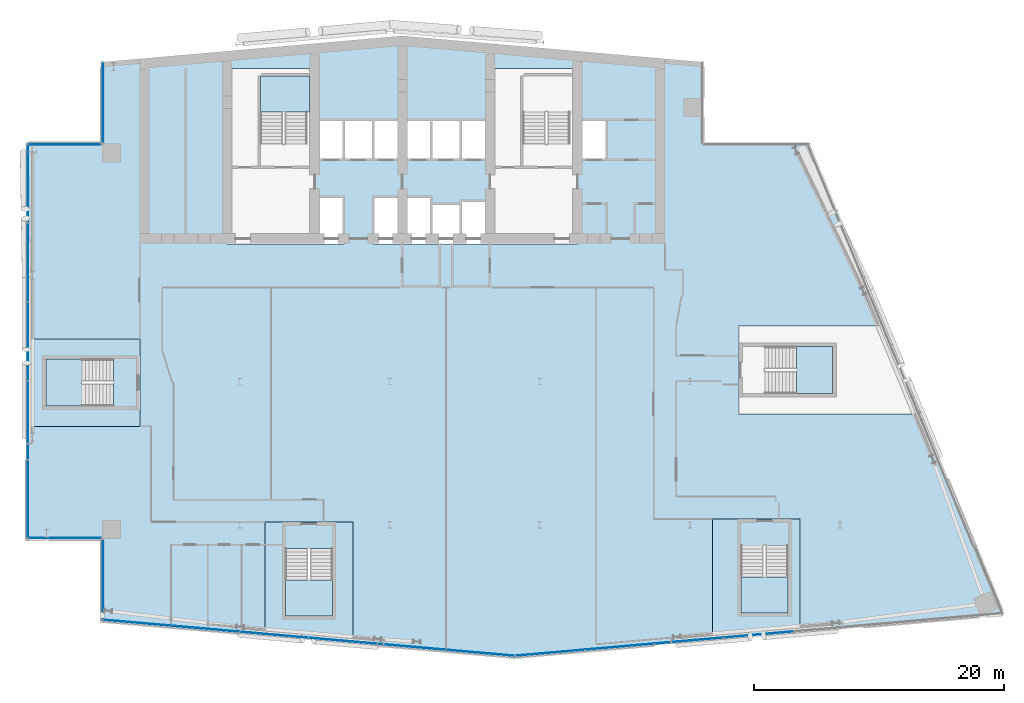
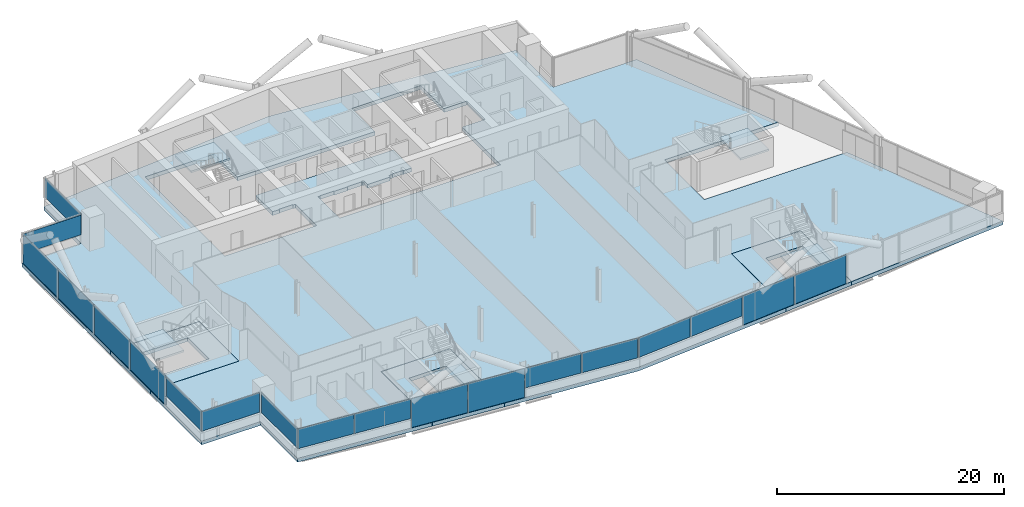
# One storey, part 13 of 26: 19 plates, 9 slabs, 12 elements without a shape of their own.
"""IFC4 building model written with IfcOpenShell, lengths in metres."""

from ifc_helpers import new_model, si_unit, direction, frame, origin, origin_2d, place, context, subcontext, project, spatial, polyline, rectangle, outline, extrude, material, layer, layer_set, type_object, element, aggregate, save


model = new_model("IFC4")

# Units and contexts
model_context = context("Model", 3, precision=1e-05, world=origin(), true_north=direction((0.0, 1.0)))
body_context = subcontext(model_context, "Body", "Model", "MODEL_VIEW")
ifc_project = project(units=[si_unit("LENGTHUNIT", "METRE"), si_unit("AREAUNIT", "SQUARE_METRE"), si_unit("VOLUMEUNIT", "CUBIC_METRE"), si_unit("PLANEANGLEUNIT", "RADIAN"), si_unit("MASSUNIT", "GRAM", prefix="KILO")], contexts=[model_context])

# Site, building, storey
site_placement = place(None, origin())
site = spatial("IfcSite", under=ifc_project, at=site_placement, CompositionType="ELEMENT")
building_placement = place(site_placement, origin())
building = spatial("IfcBuilding", under=site, at=building_placement, Name="Wharfspan Tower", CompositionType="ELEMENT")
storey_placement = place(building_placement, frame((0.0, 0.0, 177.100098)))
storey = spatial("IfcBuildingStorey", under=building, at=storey_placement, Name="L43", CompositionType="ELEMENT", Elevation=177.100098)

# Curtain wall, plates
ifc_material_1 = material(Name="Aluminium 6063-T6", Category="aluminium")
curtain_wall_type_1 = type_object("IfcCurtainWallType", Name="CURTAIN WALL FACETED FRONT", PredefinedType="NOTDEFINED", material=ifc_material_1)
curtain_wall_1_placement = place(storey_placement, origin())
curtain_wall_1 = element("IfcCurtainWall", 1, at=curtain_wall_1_placement, inside=storey, type_object=curtain_wall_type_1, Name="Curtain wall S1", PredefinedType="NOTDEFINED")
ifc_material_2 = material(Name="Glass clear low-iron double glazing", Category="glass")
ifc_layer_1 = layer(ifc_material_2, 0.040039)
ifc_layer_set_1 = layer_set([ifc_layer_1], Name="Glass clear low-iron double glazing")
plate_type_1 = type_object("IfcPlateType", Name="GLASS PANEL FACETED FRONT 40", PredefinedType="CURTAIN_PANEL", material=ifc_layer_set_1)
plate_1_placement = place(storey_placement, frame((15.770264, 3.692871, 0.999756), z_axis=(0.0, 0.0, 1.0), x_axis=(0.996198, -0.087156, 0.0)))
plate_1 = element("IfcPlate", 2, at=plate_1_placement, type_object=plate_type_1, Name="Curtain wall S1 panel 1", PredefinedType="CURTAIN_PANEL", context=body_context, shape_type="SweptSolid", body=[
    extrude(rectangle(XDim=5.430908, YDim=0.040039, at=origin_2d()), origin(), (0.0, 0.0, 1.0), 2.120117),
])
plate_2_placement = place(storey_placement, frame((21.255127, 3.213135, 0.999756), z_axis=(0.0, 0.0, 1.0), x_axis=(0.996198, -0.087156, 0.0)))
plate_2 = element("IfcPlate", 3, at=plate_2_placement, type_object=plate_type_1, Name="Curtain wall S1 panel 2", PredefinedType="CURTAIN_PANEL", context=body_context, shape_type="SweptSolid", body=[
    extrude(rectangle(XDim=5.460938, YDim=0.040039, at=origin_2d()), origin(), (0.0, 0.0, 1.0), 2.120117),
])
plate_3_placement = place(storey_placement, frame((37.755127, 1.769531, 0.999756), z_axis=(0.0, 0.0, 1.0), x_axis=(0.996198, -0.087156, 0.0)))
plate_3 = element("IfcPlate", 4, at=plate_3_placement, type_object=plate_type_1, Name="Curtain wall S1 panel 5", PredefinedType="CURTAIN_PANEL", context=body_context, shape_type="SweptSolid", body=[
    extrude(rectangle(XDim=5.460938, YDim=0.040039, at=origin_2d()), origin(), (0.0, 0.0, 1.0), 2.120117),
])
plate_4_placement = place(storey_placement, frame((43.240234, 1.289551, 0.999756), z_axis=(0.0, 0.0, 1.0), x_axis=(0.996198, -0.087156, 0.0)))
plate_4 = element("IfcPlate", 5, at=plate_4_placement, type_object=plate_type_1, Name="Curtain wall S1 panel 6", PredefinedType="CURTAIN_PANEL", context=body_context, shape_type="SweptSolid", body=[
    extrude(rectangle(XDim=5.430908, YDim=0.040039, at=origin_2d()), origin(), (0.0, 0.0, 1.0), 2.120117),
])

curtain_wall_2_placement = place(storey_placement, origin())
curtain_wall_2 = element("IfcCurtainWall", 6, at=curtain_wall_2_placement, inside=storey, type_object=curtain_wall_type_1, Name="Curtain wall S2", PredefinedType="NOTDEFINED")
plate_5_placement = place(storey_placement, frame((48.79541, 1.292725, 0.999756), z_axis=(0.0, 0.0, 1.0), x_axis=(0.996198, 0.087156, 0.0)))
plate_5 = element("IfcPlate", 7, at=plate_5_placement, type_object=plate_type_1, Name="Curtain wall S2 panel 1", PredefinedType="CURTAIN_PANEL", context=body_context, shape_type="SweptSolid", body=[
    extrude(rectangle(XDim=5.502686, YDim=0.040039, at=origin_2d()), origin(), (0.0, 0.0, 1.0), 2.120117),
])
plate_6_placement = place(storey_placement, frame((54.351807, 1.778809, 0.999756), z_axis=(0.0, 0.0, 1.0), x_axis=(0.996198, 0.087156, 0.0)))
plate_6 = element("IfcPlate", 8, at=plate_6_placement, type_object=plate_type_1, Name="Curtain wall S2 panel 2", PredefinedType="CURTAIN_PANEL", context=body_context, shape_type="SweptSolid", body=[
    extrude(rectangle(XDim=5.532715, YDim=0.040039, at=origin_2d()), origin(), (0.0, 0.0, 1.0), 2.120117),
])

# Curtain wall, plate
curtain_wall_type_2 = type_object("IfcCurtainWallType", Name="CURTAIN WALL PROW AND END", PredefinedType="NOTDEFINED", material=ifc_material_1)
curtain_wall_3_placement = place(storey_placement, origin())
curtain_wall_3 = element("IfcCurtainWall", 9, at=curtain_wall_3_placement, inside=storey, type_object=curtain_wall_type_2, Name="Curtain wall NRW-V", PredefinedType="NOTDEFINED")
ifc_layer_2 = layer(ifc_material_2, 0.040039)
ifc_layer_set_2 = layer_set([ifc_layer_2], Name="Glass clear low-iron double glazing")
plate_type_2 = type_object("IfcPlateType", Name="GLASS PANEL PROW AND END 40", PredefinedType="CURTAIN_PANEL", material=ifc_layer_set_2)
plate_7_placement = place(storey_placement, frame((13.080078, 45.262451, 0.999756), z_axis=(0.0, 0.0, 1.0), x_axis=(0.0, -1.0, 0.0)))
plate_7 = element("IfcPlate", 10, at=plate_7_placement, type_object=plate_type_2, Name="Curtain wall NRW-V panel 1", PredefinedType="CURTAIN_PANEL", context=body_context, shape_type="SweptSolid", body=[
    extrude(rectangle(XDim=6.405029, YDim=0.040039, at=origin_2d()), origin(), (0.0, 0.0, 1.0), 2.120117),
])
aggregate(curtain_wall_3, [plate_7])

curtain_wall_4_placement = place(storey_placement, origin())
curtain_wall_4 = element("IfcCurtainWall", 11, at=curtain_wall_4_placement, inside=storey, type_object=curtain_wall_type_2, Name="Curtain wall NRW-H", PredefinedType="NOTDEFINED")
plate_8_placement = place(storey_placement, frame((10.0, 41.919922, 0.999756), z_axis=(0.0, 0.0, 1.0), x_axis=(-1.0, 0.0, 0.0)))
plate_8 = element("IfcPlate", 12, at=plate_8_placement, type_object=plate_type_2, Name="Curtain wall NRW-H panel 1", PredefinedType="CURTAIN_PANEL", context=body_context, shape_type="SweptSolid", body=[
    extrude(rectangle(XDim=5.879883, YDim=0.040039, at=origin_2d()), origin(), (0.0, 0.0, 1.0), 2.120117),
])
aggregate(curtain_wall_4, [plate_8])

curtain_wall_5_placement = place(storey_placement, origin())
curtain_wall_5 = element("IfcCurtainWall", 13, at=curtain_wall_5_placement, inside=storey, type_object=curtain_wall_type_2, Name="Curtain wall W", PredefinedType="NOTDEFINED")
plate_9_placement = place(storey_placement, frame((7.080078, 13.574951, 0.999756), z_axis=(0.0, 0.0, 1.0), x_axis=(0.0, -1.0, 0.0)))
plate_9 = element("IfcPlate", 14, at=plate_9_placement, type_object=plate_type_2, Name="Curtain wall W panel 5", PredefinedType="CURTAIN_PANEL", context=body_context, shape_type="SweptSolid", body=[
    extrude(rectangle(XDim=6.22998, YDim=0.040039, at=origin_2d()), origin(), (0.0, 0.0, 1.0), 2.120117),
])

curtain_wall_6_placement = place(storey_placement, origin())
curtain_wall_6 = element("IfcCurtainWall", 15, at=curtain_wall_6_placement, inside=storey, type_object=curtain_wall_type_2, Name="Curtain wall NFW-H", PredefinedType="NOTDEFINED")
plate_10_placement = place(storey_placement, frame((10.0, 10.47998, 0.999756), z_axis=(0.0, 0.0, 1.0), x_axis=(1.0, 0.0, 0.0)))
plate_10 = element("IfcPlate", 16, at=plate_10_placement, type_object=plate_type_2, Name="Curtain wall NFW-H panel 1", PredefinedType="CURTAIN_PANEL", context=body_context, shape_type="SweptSolid", body=[
    extrude(rectangle(XDim=5.879883, YDim=0.040039, at=origin_2d()), origin(), (0.0, 0.0, 1.0), 2.120117),
])
aggregate(curtain_wall_6, [plate_10])

curtain_wall_7_placement = place(storey_placement, origin())
curtain_wall_7 = element("IfcCurtainWall", 17, at=curtain_wall_7_placement, inside=storey, type_object=curtain_wall_type_2, Name="Curtain wall NFW-V", PredefinedType="NOTDEFINED")
plate_11_placement = place(storey_placement, frame((13.080078, 7.137451, 0.999756), z_axis=(0.0, 0.0, 1.0), x_axis=(0.0, -1.0, 0.0)))
plate_11 = element("IfcPlate", 18, at=plate_11_placement, type_object=plate_type_2, Name="Curtain wall NFW-V panel 1", PredefinedType="CURTAIN_PANEL", context=body_context, shape_type="SweptSolid", body=[
    extrude(rectangle(XDim=6.405029, YDim=0.040039, at=origin_2d()), origin(), (0.0, 0.0, 1.0), 2.120117),
])
aggregate(curtain_wall_7, [plate_11])

# Plate
ifc_material_3 = material(Name="Aluminium composite opaque insulated panel", Category="aluminium")
ifc_layer_3 = layer(ifc_material_3, 0.040039)
ifc_layer_set_3 = layer_set([ifc_layer_3], Name="Aluminium composite opaque insulated panel")
plate_type_3 = type_object("IfcPlateType", Name="INFILL PANEL FACETED FRONT OPAQUE 40", PredefinedType="SHEET", material=ifc_layer_set_3)
plate_12_placement = place(storey_placement, frame((26.755127, 2.731934, -0.000244), z_axis=(0.0, 0.0, 1.0), x_axis=(0.996198, -0.087156, 0.0)))
plate_12 = element("IfcPlate", 19, at=plate_12_placement, type_object=plate_type_3, Name="Curtain wall S1 panel 3", PredefinedType="SHEET", context=body_context, shape_type="SweptSolid", body=[
    extrude(rectangle(XDim=5.460938, YDim=0.040039, at=origin_2d()), origin(), (0.0, 0.0, 1.0), 3.120117),
])

plate_13_placement = place(storey_placement, frame((32.255127, 2.250732, -0.000244), z_axis=(0.0, 0.0, 1.0), x_axis=(0.996198, -0.087156, 0.0)))
plate_13 = element("IfcPlate", 20, at=plate_13_placement, type_object=plate_type_3, Name="Curtain wall S1 panel 4", PredefinedType="SHEET", context=body_context, shape_type="SweptSolid", body=[
    extrude(rectangle(XDim=5.460938, YDim=0.040039, at=origin_2d()), origin(), (0.0, 0.0, 1.0), 3.120117),
])

aggregate(curtain_wall_1, [plate_1, plate_2, plate_12, plate_13, plate_3, plate_4])

plate_14_placement = place(storey_placement, frame((59.92334, 2.266357, -0.000244), z_axis=(0.0, 0.0, 1.0), x_axis=(0.996198, 0.087156, 0.0)))
plate_14 = element("IfcPlate", 21, at=plate_14_placement, type_object=plate_type_3, Name="Curtain wall S2 panel 3", PredefinedType="SHEET", context=body_context, shape_type="SweptSolid", body=[
    extrude(rectangle(XDim=5.532715, YDim=0.040039, at=origin_2d()), origin(), (0.0, 0.0, 1.0), 3.120117),
])

plate_15_placement = place(storey_placement, frame((65.494873, 2.753662, -0.000244), z_axis=(0.0, 0.0, 1.0), x_axis=(0.996198, 0.087156, 0.0)))
plate_15 = element("IfcPlate", 22, at=plate_15_placement, type_object=plate_type_3, Name="Curtain wall S2 panel 4", PredefinedType="SHEET", context=body_context, shape_type="SweptSolid", body=[
    extrude(rectangle(XDim=5.532715, YDim=0.040039, at=origin_2d()), origin(), (0.0, 0.0, 1.0), 3.120117),
])

aggregate(curtain_wall_2, [plate_5, plate_6, plate_14, plate_15])

ifc_layer_4 = layer(ifc_material_3, 0.040039)
ifc_layer_set_4 = layer_set([ifc_layer_4], Name="Aluminium composite opaque insulated panel")
plate_type_4 = type_object("IfcPlateType", Name="INFILL PANEL PROW AND END OPAQUE 40", PredefinedType="SHEET", material=ifc_layer_set_4)
plate_16_placement = place(storey_placement, frame((7.080078, 38.824951, -0.000244), z_axis=(0.0, 0.0, 1.0), x_axis=(0.0, -1.0, 0.0)))
plate_16 = element("IfcPlate", 23, at=plate_16_placement, type_object=plate_type_4, Name="Curtain wall W panel 1", PredefinedType="SHEET", context=body_context, shape_type="SweptSolid", body=[
    extrude(rectangle(XDim=6.22998, YDim=0.040039, at=origin_2d()), origin(), (0.0, 0.0, 1.0), 3.120117),
])

plate_17_placement = place(storey_placement, frame((7.080078, 32.52002, -0.000244), z_axis=(0.0, 0.0, 1.0), x_axis=(0.0, -1.0, 0.0)))
plate_17 = element("IfcPlate", 24, at=plate_17_placement, type_object=plate_type_4, Name="Curtain wall W panel 2", PredefinedType="SHEET", context=body_context, shape_type="SweptSolid", body=[
    extrude(rectangle(XDim=6.26001, YDim=0.040039, at=origin_2d()), origin(), (0.0, 0.0, 1.0), 3.120117),
])

plate_18_placement = place(storey_placement, frame((7.080078, 26.199951, -0.000244), z_axis=(0.0, 0.0, 1.0), x_axis=(0.0, -1.0, 0.0)))
plate_18 = element("IfcPlate", 25, at=plate_18_placement, type_object=plate_type_4, Name="Curtain wall W panel 3", PredefinedType="SHEET", context=body_context, shape_type="SweptSolid", body=[
    extrude(rectangle(XDim=6.26001, YDim=0.040039, at=origin_2d()), origin(), (0.0, 0.0, 1.0), 3.120117),
])

plate_19_placement = place(storey_placement, frame((7.080078, 19.879883, -0.000244), z_axis=(0.0, 0.0, 1.0), x_axis=(0.0, -1.0, 0.0)))
plate_19 = element("IfcPlate", 26, at=plate_19_placement, type_object=plate_type_4, Name="Curtain wall W panel 4", PredefinedType="SHEET", context=body_context, shape_type="SweptSolid", body=[
    extrude(rectangle(XDim=6.26001, YDim=0.040039, at=origin_2d()), origin(), (0.0, 0.0, 1.0), 3.120117),
])

aggregate(curtain_wall_5, [plate_16, plate_17, plate_18, plate_19, plate_9])

# Slabs
ifc_material_4 = material(Name="Concrete C40/50", Category="concrete")
ifc_layer_5 = layer(ifc_material_4, 0.399902)
ifc_layer_set_5 = layer_set([ifc_layer_5], Name="Concrete C40/50")
slab_type_1 = type_object("IfcSlabType", Name="Post-tensioned flat slab 400", PredefinedType="FLOOR", material=ifc_layer_set_5)
slab_1_placement = place(storey_placement, frame((0.0, 0.0, -0.400146)))
element("IfcSlab", 27, at=slab_1_placement, inside=storey, type_object=slab_type_1, Name="Floor slab L43", PredefinedType="FLOOR", context=body_context, shape_type="SweptSolid", body=[
    extrude(outline(polyline([(26.029297, 2.735107), (26.029297, 11.744385), (33.049316, 11.744385), (33.049316, 2.121094), (46.0, 0.987793), (61.801514, 2.370361), (61.801514, 11.993652), (68.821289, 11.993652), (68.821289, 2.984619), (85.0, 4.399902), (78.398682, 20.389893), (63.894531, 20.389893), (63.894531, 27.409912), (75.500488, 27.409912), (69.477051, 42.0), (61.0, 42.0), (61.0, 48.524902), (37.0, 50.624756), (13.0, 48.524902), (13.0, 42.0), (7.0, 42.0), (7.0, 26.409912), (16.01001, 26.409912), (16.01001, 19.389893), (7.0, 19.389893), (7.0, 10.399902), (13.0, 10.399902), (13.0, 3.875), (26.029297, 2.735107)]), holes=[polyline([(32.126709, 37.76001), (32.343262, 37.76001), (32.343262, 33.98999), (22.98999, 33.98999), (22.98999, 48.01001), (30.01001, 48.01001), (30.01001, 43.909912), (43.98999, 43.909912), (43.98999, 48.01001), (51.01001, 48.01001), (51.01001, 43.909912), (53.343262, 43.909912), (53.343262, 40.689941), (51.01001, 40.689941), (51.01001, 33.98999), (34.656738, 33.98999), (34.656738, 37.76001), (34.873291, 37.76001), (34.873291, 37.810059), (36.293213, 37.810059), (36.293213, 37.76001), (37.666748, 37.76001), (37.666748, 37.810059), (39.166748, 37.810059), (39.166748, 37.76001), (39.343262, 37.76001), (39.343262, 37.209961), (41.656738, 37.209961), (41.656738, 37.459961), (42.023193, 37.459961), (42.023193, 37.51001), (43.143311, 37.51001), (43.143311, 37.459961), (43.98999, 37.459961), (43.98999, 40.689941), (30.01001, 40.689941), (30.01001, 37.76001), (30.706787, 37.76001), (30.706787, 37.810059), (32.126709, 37.810059), (32.126709, 37.76001)])]), origin(), (0.0, 0.0, 1.0), 0.400146),
])
slab_2_placement = place(storey_placement, frame((0.0, 0.0, -0.400146)))
element("IfcSlab", 28, at=slab_2_placement, inside=storey, type_object=slab_type_1, Name="Core floor slab L43 part 1", PredefinedType="FLOOR", context=body_context, shape_type="SweptSolid", body=[
    extrude(outline(polyline([(16.0, 20.725098), (16.0, 25.074951), (16.0, 26.399902), (7.0, 26.399902), (7.0, 19.399902), (16.0, 19.399902), (16.0, 20.725098)]), holes=[polyline([(13.899902, 24.7771), (13.900146, 24.7771), (13.900391, 24.7771), (13.900635, 24.776855), (13.900879, 24.776855), (13.900879, 24.776855), (13.901123, 24.776611), (13.901367, 24.776611), (13.901367, 24.776367), (13.901611, 24.776367), (13.901611, 24.776123), (13.901855, 24.775879), (13.901855, 24.775879), (13.901855, 24.775635), (13.9021, 24.775391), (13.9021, 24.775146), (13.9021, 24.774902), (13.9021, 21.024902), (13.9021, 21.024902), (13.9021, 21.024658), (13.901855, 21.024414), (13.901855, 21.02417), (13.901855, 21.02417), (13.901611, 21.023926), (13.901611, 21.023682), (13.901367, 21.023682), (13.901367, 21.023438), (13.901123, 21.023193), (13.900879, 21.023193), (13.900879, 21.023193), (13.900635, 21.023193), (13.900391, 21.022949), (13.900146, 21.022949), (13.899902, 21.022949), (8.5, 21.022949), (8.499756, 21.022949), (8.499512, 21.022949), (8.499512, 21.023193), (8.499268, 21.023193), (8.499023, 21.023193), (8.498779, 21.023193), (8.498779, 21.023438), (8.498535, 21.023682), (8.498535, 21.023682), (8.498291, 21.023926), (8.498291, 21.02417), (8.498291, 21.02417), (8.498047, 21.024414), (8.498047, 21.024658), (8.498047, 21.024902), (8.498047, 21.024902), (8.498047, 24.774902), (8.498047, 24.775146), (8.498047, 24.775391), (8.498047, 24.775635), (8.498291, 24.775879), (8.498291, 24.775879), (8.498291, 24.776123), (8.498535, 24.776367), (8.498535, 24.776367), (8.498779, 24.776611), (8.498779, 24.776611), (8.499023, 24.776855), (8.499268, 24.776855), (8.499512, 24.776855), (8.499512, 24.7771), (8.499756, 24.7771), (8.5, 24.7771), (13.899902, 24.7771)])]), origin(), (0.0, 0.0, 1.0), 0.400146),
])
slab_3_placement = place(storey_placement, frame((0.0, 0.0, -0.400146)))
element("IfcSlab", 29, at=slab_3_placement, inside=storey, type_object=slab_type_1, Name="Core floor slab L43 part 2", PredefinedType="FLOOR", context=body_context, shape_type="SweptSolid", body=[
    extrude(outline(polyline([(31.714111, 11.734375), (27.364258, 11.734375), (26.039307, 11.734375), (26.039307, 2.734375), (33.039307, 2.121826), (33.039307, 11.734375), (31.714111, 11.734375)]), holes=[polyline([(27.662109, 9.634277), (27.662109, 9.634521), (27.662354, 9.634766), (27.662354, 9.63501), (27.662354, 9.63501), (27.662598, 9.635254), (27.662598, 9.635498), (27.662598, 9.635498), (27.662842, 9.635742), (27.663086, 9.635742), (27.663086, 9.635986), (27.66333, 9.635986), (27.663574, 9.635986), (27.663574, 9.63623), (27.663818, 9.63623), (27.664062, 9.63623), (27.664307, 9.63623), (31.414307, 9.63623), (31.414307, 9.63623), (31.414551, 9.63623), (31.414795, 9.63623), (31.415039, 9.635986), (31.415283, 9.635986), (31.415283, 9.635986), (31.415527, 9.635742), (31.415527, 9.635742), (31.415771, 9.635498), (31.416016, 9.635498), (31.416016, 9.635254), (31.416016, 9.63501), (31.416016, 9.63501), (31.41626, 9.634766), (31.41626, 9.634521), (31.41626, 9.634277), (31.41626, 4.234375), (31.41626, 4.234131), (31.41626, 4.233887), (31.416016, 4.233643), (31.416016, 4.233398), (31.416016, 4.233398), (31.416016, 4.233154), (31.415771, 4.23291), (31.415527, 4.23291), (31.415527, 4.232666), (31.415283, 4.232666), (31.415283, 4.232422), (31.415039, 4.232422), (31.414795, 4.232422), (31.414551, 4.232422), (31.414307, 4.232422), (31.414307, 4.232422), (27.664307, 4.232422), (27.664062, 4.232422), (27.663818, 4.232422), (27.663574, 4.232422), (27.663574, 4.232422), (27.66333, 4.232422), (27.663086, 4.232666), (27.663086, 4.232666), (27.662842, 4.23291), (27.662598, 4.23291), (27.662598, 4.233154), (27.662598, 4.233398), (27.662354, 4.233398), (27.662354, 4.233643), (27.662354, 4.233887), (27.662109, 4.234131), (27.662109, 4.234375), (27.662109, 9.634277)])]), origin(), (0.0, 0.0, 1.0), 0.400146),
])
slab_4_placement = place(storey_placement, frame((0.0, 0.0, -0.400146)))
element("IfcSlab", 30, at=slab_4_placement, inside=storey, type_object=slab_type_1, Name="Core floor slab L43 part 4", PredefinedType="FLOOR", context=body_context, shape_type="SweptSolid", body=[
    extrude(outline(polyline([(68.811279, 11.983643), (68.136475, 11.983643), (63.786377, 11.983643), (61.811279, 11.983643), (61.811279, 2.371338), (68.811279, 2.983643), (68.811279, 11.983643)]), holes=[polyline([(64.084473, 9.883789), (64.084473, 9.883789), (64.084473, 9.884033), (64.084473, 9.884277), (64.084473, 9.884521), (64.084717, 9.884521), (64.084717, 9.884766), (64.084717, 9.88501), (64.084961, 9.88501), (64.085205, 9.885254), (64.085205, 9.885254), (64.085449, 9.885498), (64.085693, 9.885498), (64.085693, 9.885498), (64.085938, 9.885498), (64.086182, 9.885742), (64.086426, 9.885742), (67.836426, 9.885742), (67.836426, 9.885742), (67.83667, 9.885498), (67.836914, 9.885498), (67.837158, 9.885498), (67.837402, 9.885498), (67.837402, 9.885254), (67.837646, 9.885254), (67.837891, 9.88501), (67.837891, 9.88501), (67.837891, 9.884766), (67.838135, 9.884521), (67.838135, 9.884521), (67.838379, 9.884277), (67.838379, 9.884033), (67.838379, 9.883789), (67.838379, 9.883789), (67.838379, 4.483643), (67.838379, 4.483398), (67.838379, 4.483398), (67.838379, 4.483154), (67.838135, 4.48291), (67.838135, 4.482666), (67.837891, 4.482666), (67.837891, 4.482422), (67.837891, 4.482422), (67.837646, 4.482178), (67.837402, 4.481934), (67.837402, 4.481934), (67.837158, 4.481689), (67.836914, 4.481689), (67.83667, 4.481689), (67.836426, 4.481689), (67.836426, 4.481689), (64.086426, 4.481689), (64.086182, 4.481689), (64.085938, 4.481689), (64.085693, 4.481689), (64.085693, 4.481689), (64.085449, 4.481934), (64.085205, 4.481934), (64.085205, 4.482178), (64.084961, 4.482422), (64.084717, 4.482422), (64.084717, 4.482666), (64.084717, 4.482666), (64.084473, 4.48291), (64.084473, 4.483154), (64.084473, 4.483398), (64.084473, 4.483398), (64.084473, 4.483643), (64.084473, 9.883789)])]), origin(), (0.0, 0.0, 1.0), 0.400146),
])

# Stair, slab
stair_type = type_object("IfcStairType", Name="Half-turn stair 20 risers 180 mm", PredefinedType="HALF_TURN_STAIR", material=ifc_material_4)
stair_1_placement = place(storey_placement, origin())
stair_1 = element("IfcStair", 31, at=stair_1_placement, inside=storey, type_object=stair_type, Name="L43 stair ST1", PredefinedType="HALF_TURN_STAIR")
ifc_layer_6 = layer(ifc_material_4, 0.199951)
ifc_layer_set_6 = layer_set([ifc_layer_6], Name="Concrete C40/50")
slab_type_2 = type_object("IfcSlabType", Name="Stair landing 200", PredefinedType="LANDING", material=ifc_layer_set_6)
slab_5_placement = place(storey_placement, frame((0.0, 0.0, 1.599609)))
slab_5 = element("IfcSlab", 32, at=slab_5_placement, type_object=slab_type_2, Name="ST1 landing 1", PredefinedType="LANDING", context=body_context, shape_type="SweptSolid", body=[
    extrude(outline(polyline([(25.649902, 44.52002), (29.600098, 44.52002), (29.600098, 47.399902), (25.649902, 47.399902), (25.649902, 44.52002)])), origin(), (0.0, 0.0, 1.0), 0.200195),
])
aggregate(stair_1, [slab_5])

stair_2_placement = place(storey_placement, origin())
stair_2 = element("IfcStair", 33, at=stair_2_placement, inside=storey, type_object=stair_type, Name="L43 stair ST3", PredefinedType="HALF_TURN_STAIR")
slab_6_placement = place(storey_placement, frame((0.0, 0.0, 1.599609)))
slab_6 = element("IfcSlab", 34, at=slab_6_placement, type_object=slab_type_2, Name="ST3 landing 1", PredefinedType="LANDING", context=body_context, shape_type="SweptSolid", body=[
    extrude(outline(polyline([(11.379883, 24.774902), (8.5, 24.774902), (8.5, 21.024902), (11.379883, 21.024902), (11.379883, 24.774902)])), origin(), (0.0, 0.0, 1.0), 0.200195),
])
aggregate(stair_2, [slab_6])

stair_3_placement = place(storey_placement, origin())
stair_3 = element("IfcStair", 35, at=stair_3_placement, inside=storey, type_object=stair_type, Name="L43 stair ST4", PredefinedType="HALF_TURN_STAIR")
slab_7_placement = place(storey_placement, frame((0.0, 0.0, 1.599609)))
slab_7 = element("IfcSlab", 36, at=slab_7_placement, type_object=slab_type_2, Name="ST4 landing 1", PredefinedType="LANDING", context=body_context, shape_type="SweptSolid", body=[
    extrude(outline(polyline([(27.664307, 7.114258), (27.664307, 4.234375), (31.414307, 4.234375), (31.414307, 7.114258), (27.664307, 7.114258)])), origin(), (0.0, 0.0, 1.0), 0.200195),
])
aggregate(stair_3, [slab_7])

stair_4_placement = place(storey_placement, origin())
stair_4 = element("IfcStair", 37, at=stair_4_placement, inside=storey, type_object=stair_type, Name="L43 stair ST5", PredefinedType="HALF_TURN_STAIR")
slab_8_placement = place(storey_placement, frame((0.0, 0.0, 1.599609)))
slab_8 = element("IfcSlab", 38, at=slab_8_placement, type_object=slab_type_2, Name="ST5 landing 1", PredefinedType="LANDING", context=body_context, shape_type="SweptSolid", body=[
    extrude(outline(polyline([(64.086426, 7.36377), (64.086426, 4.483643), (67.836426, 4.483643), (67.836426, 7.36377), (64.086426, 7.36377)])), origin(), (0.0, 0.0, 1.0), 0.200195),
])
aggregate(stair_4, [slab_8])

stair_5_placement = place(storey_placement, origin())
stair_5 = element("IfcStair", 39, at=stair_5_placement, inside=storey, type_object=stair_type, Name="L43 stair ST6", PredefinedType="HALF_TURN_STAIR")
slab_9_placement = place(storey_placement, frame((0.0, 0.0, 1.599609)))
slab_9 = element("IfcSlab", 40, at=slab_9_placement, type_object=slab_type_2, Name="ST6 landing 1", PredefinedType="LANDING", context=body_context, shape_type="SweptSolid", body=[
    extrude(outline(polyline([(68.524658, 22.024902), (71.404541, 22.024902), (71.404541, 25.774902), (68.524658, 25.774902), (68.524658, 22.024902)])), origin(), (0.0, 0.0, 1.0), 0.200195),
])
aggregate(stair_5, [slab_9])

save(model, "model.ifc")
